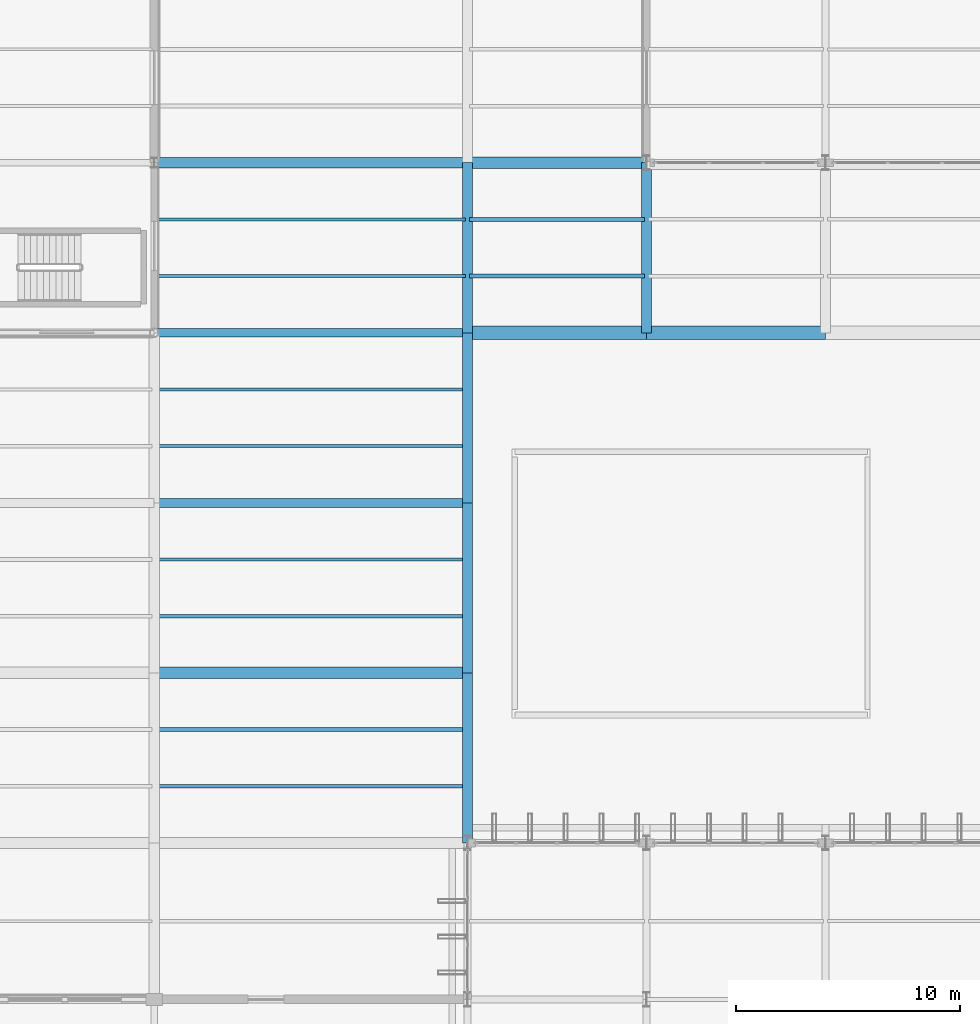
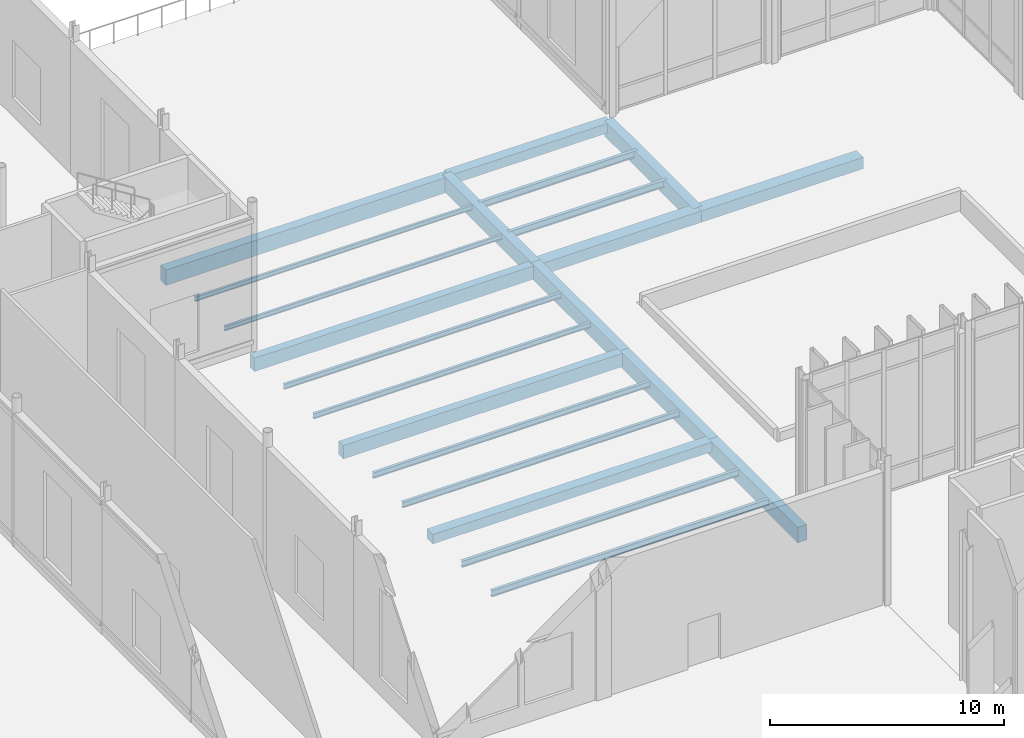
# One storey, part 68 of 176: 22 beams.
"""IFC4 building model written with IfcOpenShell, lengths in metres."""

import ifcopenshell
import ifcopenshell.guid

model = None  # the IFC model being written
_history = None  # IfcOwnerHistory: only IFC2X3 demands one
_inside = {}  # id of a spatial element -> (the spatial element, [elements in it])
_under = {}  # id of a project, library or spatial element -> (it, [spatial elements below it])
_declared = {}  # id of a project -> (the project, [libraries it declares])
_typed = {}  # id of a type object -> (the type object, [elements of that type])
_made_of = {}  # id of a material, layer set ... -> (it, [elements and type objects made of it])


def new_model(schema):
    """Start an empty IFC model of exactly this schema.

    Asked for "IFC4X3", IfcOpenShell would pick the latest addendum, in which some entities
    have other attributes; the version numbers below select the first issue.
    IFC2X3 requires an IfcOwnerHistory on every rooted entity: one is made here for all.
    """
    global model, _history
    if schema == "IFC4X3":
        model = ifcopenshell.file(schema_version=(4, 3, 0, 0))
    else:
        model = ifcopenshell.file(schema=schema)
    _inside.clear()
    _under.clear()
    _declared.clear()
    _typed.clear()
    _made_of.clear()
    _history = None
    if model.schema == "IFC2X3":
        org = make("IfcOrganization", Name="unknown")
        user = make(
            "IfcPersonAndOrganization",
            ThePerson=make("IfcPerson", FamilyName="unknown"),
            TheOrganization=org,
        )
        app = make(
            "IfcApplication",
            ApplicationDeveloper=org,
            Version="unknown",
            ApplicationFullName="unknown",
            ApplicationIdentifier="unknown",
        )
        _history = make(
            "IfcOwnerHistory",
            OwningUser=user,
            OwningApplication=app,
            ChangeAction="ADDED",
            CreationDate=0,
        )
    return model


def make(cls, **values):
    """One entity of the class cls with the attributes given. An attribute that is None is left unset."""
    return model.create_entity(
        cls, **{name: value for name, value in values.items() if value is not None}
    )


def rooted(cls, **values):
    """An entity with a GlobalId (a new one), such as an element, a storey or a relation."""
    return make(cls, GlobalId=ifcopenshell.guid.new(), OwnerHistory=_history, **values)


def si_unit(unit_type, name, prefix=None):
    """IfcSIUnit, for example si_unit("LENGTHUNIT", "METRE", prefix="MILLI")."""
    return make("IfcSIUnit", UnitType=unit_type, Prefix=prefix, Name=name)


def assignment(units):
    """IfcUnitAssignment: the units of a project."""
    return None if units is None else make("IfcUnitAssignment", Units=units)


def point(xyz):
    """IfcCartesianPoint."""
    return None if xyz is None else make("IfcCartesianPoint", Coordinates=xyz)


def direction(xyz):
    """IfcDirection."""
    return None if xyz is None else make("IfcDirection", DirectionRatios=xyz)


def frame(location, z_axis=None, x_axis=None):
    """IfcAxis2Placement3D, a coordinate frame: its origin and axes. An axis left out is left unset."""
    return make(
        "IfcAxis2Placement3D",
        Location=point(location),
        Axis=direction(z_axis),
        RefDirection=direction(x_axis),
    )


def frame_2d(location, x_axis=None):
    """IfcAxis2Placement2D, a coordinate frame in the plane: its origin and x axis."""
    return make(
        "IfcAxis2Placement2D", Location=point(location), RefDirection=direction(x_axis)
    )


def origin():
    """The frame at (0, 0, 0) with its axes left unset."""
    return frame((0.0, 0.0, 0.0))


def origin_2d():
    """The frame at (0, 0) in the plane with its x axis left unset."""
    return frame_2d((0.0, 0.0))


def place(relative_to, where):
    """IfcLocalPlacement: puts the frame where relative to a parent placement (None: the world)."""
    return make(
        "IfcLocalPlacement", PlacementRelTo=relative_to, RelativePlacement=where
    )


def context(
    kind, dimensions, precision=None, world=None, true_north=None, identifier=None
):
    """IfcGeometricRepresentationContext, for example the 3D "Model" context."""
    return make(
        "IfcGeometricRepresentationContext",
        ContextIdentifier=identifier,
        ContextType=kind,
        CoordinateSpaceDimension=dimensions,
        Precision=precision,
        WorldCoordinateSystem=world,
        TrueNorth=true_north,
    )


def subcontext(parent, identifier, kind, view, scale=None):
    """IfcGeometricRepresentationSubContext, for example "Body" below "Model"."""
    return make(
        "IfcGeometricRepresentationSubContext",
        ContextIdentifier=identifier,
        ContextType=kind,
        ParentContext=parent,
        TargetScale=scale,
        TargetView=view,
    )


def project(units=None, contexts=None):
    """IfcProject with its units and contexts."""
    return rooted(
        "IfcProject",
        Name="project",
        RepresentationContexts=contexts,
        UnitsInContext=assignment(units),
    )


def spatial(cls, under=None, at=None, **own):
    """A site, building, storey or space (cls), placed at a placement, below another one or the project."""
    s = rooted(cls, ObjectPlacement=at, **own)
    if under is not None:
        _under.setdefault(under.id(), (under, []))[1].append(s)
    return s


def profile(cls, at=None, kind="AREA", **sizes):
    """A parametric profile (cls). Its sizes go by their IFC names, for example OverallWidth=200.0."""
    return make(cls, ProfileType=kind, Position=at, **sizes)


def rectangle(**sizes):
    """IfcRectangleProfileDef."""
    return profile("IfcRectangleProfileDef", **sizes)


def i_section(**sizes):
    """IfcIShapeProfileDef."""
    return profile("IfcIShapeProfileDef", **sizes)


def extrude(swept, where, along, depth):
    """IfcExtrudedAreaSolid: the profile swept, set in the frame where, extruded along a direction by depth."""
    return make(
        "IfcExtrudedAreaSolid",
        SweptArea=swept,
        Position=where,
        ExtrudedDirection=direction(along),
        Depth=depth,
    )


def shape(context_of_items, identifier, shape_type, items):
    """IfcShapeRepresentation: the items that make up one representation, for example the "Body"."""
    return make(
        "IfcShapeRepresentation",
        ContextOfItems=context_of_items,
        RepresentationIdentifier=identifier,
        RepresentationType=shape_type,
        Items=items,
    )


def material(Name=None, Category=None):
    """IfcMaterial."""
    return make("IfcMaterial", Name=Name, Category=Category)


def material_profile(
    of_material, cross_section, Name=None, Category=None, Priority=None
):
    """IfcMaterialProfile: a cross section and its material."""
    return make(
        "IfcMaterialProfile",
        Name=Name,
        Material=of_material,
        Profile=cross_section,
        Priority=Priority,
        Category=Category,
    )


def profile_set(profiles, Name=None, composite=None):
    """IfcMaterialProfileSet."""
    return make(
        "IfcMaterialProfileSet",
        Name=Name,
        MaterialProfiles=profiles,
        CompositeProfile=composite,
    )


def made_of(thing, what):
    """Note that an element or type object is made of a material, layer set ...; save() writes the relation."""
    if what is not None:
        _made_of.setdefault(what.id(), (what, []))[1].append(thing)
    return thing


def type_object(cls, material=None, **own):
    """A type object (cls), such as IfcWallType, which elements share."""
    return made_of(rooted(cls, **own), material)


def element(
    cls,
    number,
    at=None,
    inside=None,
    cuts=None,
    type_object=None,
    material=None,
    context=None,
    identifier="Body",
    shape_type=None,
    held_by="IfcProductDefinitionShape",
    body=None,
    shapes=None,
    **own,
):
    """One element of the class cls, such as IfcWall. Its Tag is "e" and its number.

    at: its placement. inside: the storey or other place that contains it. cuts: it is an
    opening in that element (IfcRelVoidsElement). A single representation is given by context,
    identifier, shape_type and body (its items); several are given by shapes. held_by: the class
    of the entity that holds the representations. save() writes the other relations.
    """
    e = rooted(cls, Tag="e%d" % number, ObjectPlacement=at, **own)
    if body is not None:
        shapes = [shape(context, identifier, shape_type, body)]
    if shapes is not None:
        e.Representation = make(held_by, Representations=shapes)
    if inside is not None:
        _inside.setdefault(inside.id(), (inside, []))[1].append(e)
    if cuts is not None:
        rooted(
            "IfcRelVoidsElement", RelatingBuildingElement=cuts, RelatedOpeningElement=e
        )
    if type_object is not None:
        _typed.setdefault(type_object.id(), (type_object, []))[1].append(e)
    return made_of(e, material)


def aggregate(whole, parts):
    """IfcRelAggregates: a whole, such as a stair, and the parts it consists of."""
    return rooted("IfcRelAggregates", RelatingObject=whole, RelatedObjects=parts)


def save(model, path):
    """Write the relations noted so far, then the file.

    IfcRelAggregates (storeys below a building ...), IfcRelContainedInSpatialStructure (elements
    in a storey), IfcRelDefinesByType, IfcRelAssociatesMaterial and IfcRelDeclares: one each for
    every whole, place, type object, material and project.
    """
    for whole, parts in _under.values():
        aggregate(whole, parts)
    for where, things in _inside.values():
        rooted(
            "IfcRelContainedInSpatialStructure",
            RelatedElements=things,
            RelatingStructure=where,
        )
    for kind, things in _typed.values():
        rooted("IfcRelDefinesByType", RelatedObjects=things, RelatingType=kind)
    for what, things in _made_of.values():
        rooted("IfcRelAssociatesMaterial", RelatedObjects=things, RelatingMaterial=what)
    for by, libraries in _declared.values():
        rooted("IfcRelDeclares", RelatingContext=by, RelatedDefinitions=libraries)
    model.write(path)


model = new_model("IFC4")

# Units and contexts
model_context = context("Model", 3, precision=1e-05, world=origin(), true_north=direction((0.0, 1.0)))
body_context = subcontext(model_context, "Body", "Model", "MODEL_VIEW")
ifc_project = project(units=[si_unit("LENGTHUNIT", "METRE"), si_unit("AREAUNIT", "SQUARE_METRE"), si_unit("VOLUMEUNIT", "CUBIC_METRE"), si_unit("PLANEANGLEUNIT", "RADIAN"), si_unit("MASSUNIT", "GRAM", prefix="KILO")], contexts=[model_context])

# Site, building, storey
site_placement = place(None, origin())
site = spatial("IfcSite", under=ifc_project, at=site_placement, CompositionType="ELEMENT")
building_placement = place(site_placement, origin())
building = spatial("IfcBuilding", under=site, at=building_placement, Name="Vekula Escarpment Museum", CompositionType="ELEMENT")
storey_placement = place(building_placement, origin())
storey = spatial("IfcBuildingStorey", under=building, at=storey_placement, Name="L01", CompositionType="ELEMENT", Elevation=0.0)

# Beams
ifc_material_1 = material(Name="Steel S355", Category="steel")
ifc_material_profile_1 = material_profile(ifc_material_1, i_section(OverallWidth=0.1201171875, OverallDepth=0.239990234375, WebThickness=0.006103515625, FlangeThickness=0.009765625, FilletRadius=0.014892578125, at=origin_2d()), Name="IPE 240")
ifc_profile_set_1 = profile_set([ifc_material_profile_1], Name="Steel S355")
beam_type_1 = type_object("IfcBeamType", Name="BM-JST-IPE240", PredefinedType="JOIST", material=ifc_profile_set_1)
for number, where, z_axis, x_axis, name in (
    (1, (56.090087890625, 115.7333984375, -0.469970703125), (1.0, 0.0, 0.0), (0.0, 1.0, 0.0), "Secondary Joist L01 0226"),
    (2, (56.090087890625, 118.2666015625, -0.469970703125), (1.0, 0.0, 0.0), (0.0, 1.0, 0.0), "Secondary Joist L01 0227"),
):
    element("IfcBeam", number, at=place(storey_placement, frame(where, z_axis=z_axis, x_axis=x_axis)), inside=storey, type_object=beam_type_1, Name=name, PredefinedType="JOIST", context=body_context, shape_type="SweptSolid", body=[
        extrude(i_section(OverallWidth=0.1201171875, OverallDepth=0.239990234375, WebThickness=0.006103515625, FlangeThickness=0.009765625, FilletRadius=0.014892578125, at=origin_2d()), origin(), (0.0, 0.0, 1.0), 13.81982421875),
    ])
ifc_material_2 = material(Name="Steel S355", Category="steel")
ifc_material_profile_2 = material_profile(ifc_material_2, i_section(OverallWidth=0.135009765625, OverallDepth=0.27001953125, WebThickness=0.006591796875, FlangeThickness=0.01025390625, FilletRadius=0.014892578125, at=origin_2d()), Name="IPE 270")
ifc_profile_set_2 = profile_set([ifc_material_profile_2], Name="Steel S355")
beam_type_2 = type_object("IfcBeamType", Name="BM-JST-IPE270", PredefinedType="JOIST", material=ifc_profile_set_2)
for number, where, z_axis, x_axis, name in (
    (3, (56.090087890625, 108.13330078125, -0.43505859375), (1.0, 0.0, 0.0), (0.0, 1.0, 0.0), "Secondary Joist L01 0224"),
    (4, (56.090087890625, 110.666748046875, -0.43505859375), (1.0, 0.0, 0.0), (0.0, 1.0, 0.0), "Secondary Joist L01 0225"),
):
    element("IfcBeam", number, at=place(storey_placement, frame(where, z_axis=z_axis, x_axis=x_axis)), inside=storey, type_object=beam_type_2, Name=name, PredefinedType="JOIST", context=body_context, shape_type="SweptSolid", body=[
        extrude(i_section(OverallWidth=0.135009765625, OverallDepth=0.27001953125, WebThickness=0.006591796875, FlangeThickness=0.01025390625, FilletRadius=0.014892578125, at=origin_2d()), origin(), (0.0, 0.0, 1.0), 13.81982421875),
    ])
ifc_material_3 = material(Name="Steel S355", Category="steel")
ifc_material_profile_3 = material_profile(ifc_material_3, i_section(OverallWidth=0.14990234375, OverallDepth=0.300048828125, WebThickness=0.007080078125, FlangeThickness=0.0107421875, FilletRadius=0.014892578125, at=origin_2d()), Name="IPE 300")
ifc_profile_set_3 = profile_set([ifc_material_profile_3], Name="Steel S355")
beam_type_3 = type_object("IfcBeamType", Name="BM-JST-IPE300", PredefinedType="JOIST", material=ifc_profile_set_3)
for number, where, z_axis, x_axis, name in (
    (5, (56.090087890625, 100.533203125, -0.449951171875), (1.0, 0.0, 0.0), (0.0, 1.0, 0.0), "Secondary Joist L01 0222"),
    (6, (56.090087890625, 103.066650390625, -0.449951171875), (1.0, 0.0, 0.0), (0.0, 1.0, 0.0), "Secondary Joist L01 0223"),
):
    element("IfcBeam", number, at=place(storey_placement, frame(where, z_axis=z_axis, x_axis=x_axis)), inside=storey, type_object=beam_type_3, Name=name, PredefinedType="JOIST", context=body_context, shape_type="SweptSolid", body=[
        extrude(i_section(OverallWidth=0.14990234375, OverallDepth=0.300048828125, WebThickness=0.007080078125, FlangeThickness=0.0107421875, FilletRadius=0.014892578125, at=origin_2d()), origin(), (0.0, 0.0, 1.0), 13.81982421875),
    ])
ifc_material_4 = material(Name="Steel S355", Category="steel")
ifc_material_profile_4 = material_profile(ifc_material_4, i_section(OverallWidth=0.159912109375, OverallDepth=0.330078125, WebThickness=0.007568359375, FlangeThickness=0.011474609375, FilletRadius=0.01806640625, at=origin_2d()), Name="IPE 330")
ifc_profile_set_4 = profile_set([ifc_material_profile_4], Name="Steel S355")
beam_type_4 = type_object("IfcBeamType", Name="BM-JST-IPE330", PredefinedType="JOIST", material=ifc_profile_set_4)
for number, where, z_axis, x_axis, name in (
    (7, (56.090087890625, 92.933349609375, -0.465087890625), (1.0, 0.0, 0.0), (0.0, 1.0, 0.0), "Secondary Joist L01 0220"),
    (8, (56.090087890625, 95.466796875, -0.465087890625), (1.0, 0.0, 0.0), (0.0, 1.0, 0.0), "Secondary Joist L01 0221"),
):
    element("IfcBeam", number, at=place(storey_placement, frame(where, z_axis=z_axis, x_axis=x_axis)), inside=storey, type_object=beam_type_4, Name=name, PredefinedType="JOIST", context=body_context, shape_type="SweptSolid", body=[
        extrude(i_section(OverallWidth=0.159912109375, OverallDepth=0.330078125, WebThickness=0.007568359375, FlangeThickness=0.011474609375, FilletRadius=0.01806640625, at=origin_2d()), origin(), (0.0, 0.0, 1.0), 13.81982421875),
    ])
ifc_material_5 = material(Name="Steel S355", Category="steel")
ifc_material_profile_5 = material_profile(ifc_material_5, i_section(OverallWidth=0.169921875, OverallDepth=0.360107421875, WebThickness=0.008056640625, FlangeThickness=0.0126953125, FilletRadius=0.01806640625, at=origin_2d()), Name="IPE 360")
ifc_profile_set_5 = profile_set([ifc_material_profile_5], Name="Steel S355")
beam_type_5 = type_object("IfcBeamType", Name="BM-JST-IPE360", PredefinedType="JOIST", material=ifc_profile_set_5)
for number, where, z_axis, x_axis, name in (
    (9, (70.090087890625, 115.7333984375, -0.47998046875), (1.0, 0.0, 0.0), (0.0, 1.0, 0.0), "Secondary Joist L01 0245"),
    (10, (70.090087890625, 118.2666015625, -0.47998046875), (1.0, 0.0, 0.0), (0.0, 1.0, 0.0), "Secondary Joist L01 0246"),
):
    element("IfcBeam", number, at=place(storey_placement, frame(where, z_axis=z_axis, x_axis=x_axis)), inside=storey, type_object=beam_type_5, Name=name, PredefinedType="JOIST", context=body_context, shape_type="SweptSolid", body=[
        extrude(i_section(OverallWidth=0.169921875, OverallDepth=0.360107421875, WebThickness=0.008056640625, FlangeThickness=0.0126953125, FilletRadius=0.01806640625, at=origin_2d()), origin(), (0.0, 0.0, 1.0), 7.81982421875),
    ])
ifc_material_6 = material(Name="Concrete C35/45", Category="concrete")
ifc_material_profile_6 = material_profile(ifc_material_6, rectangle(XDim=0.449951171875, YDim=0.800048828125, at=origin_2d()), Name="RC 450x800")
ifc_profile_set_6 = profile_set([ifc_material_profile_6], Name="Concrete C35/45")
beam_type_6 = type_object("IfcBeamType", Name="BM-PLINTH-RC", PredefinedType="BEAM", material=ifc_profile_set_6)
beam_1_placement = place(storey_placement, frame((56.0, 120.800048828125, -0.75), z_axis=(1.0, 0.0, 0.0), x_axis=(0.0, 1.0, 0.0)))
element("IfcBeam", 11, at=beam_1_placement, inside=storey, type_object=beam_type_6, Name="Beam X L01 0338", PredefinedType="BEAM", context=body_context, shape_type="SweptSolid", body=[
    extrude(rectangle(XDim=0.449951171875, YDim=0.800048828125, at=origin_2d()), origin(), (0.0, 0.0, 1.0), 14.0),
])
for number, where, z_axis, x_axis, name in (
    (12, (70.0, 90.39990234375, -0.699951171875), (0.0, 1.0, 0.0), (-1.0, 0.0, 0.0), "Beam Y L01 0546"),
    (13, (70.0, 98.0, -0.699951171875), (0.0, 1.0, 0.0), (-1.0, 0.0, 0.0), "Beam Y L01 0547"),
):
    element("IfcBeam", number, at=place(storey_placement, frame(where, z_axis=z_axis, x_axis=x_axis)), inside=storey, type_object=beam_type_6, Name=name, PredefinedType="BEAM", context=body_context, shape_type="SweptSolid", body=[
        extrude(rectangle(XDim=0.449951171875, YDim=0.800048828125, at=origin_2d()), origin(), (0.0, 0.0, 1.0), 7.60009765625),
    ])
beam_2_placement = place(storey_placement, frame((70.0, 105.60009765625, -0.699951171875), z_axis=(0.0, 1.0, 0.0), x_axis=(-1.0, 0.0, 0.0)))
element("IfcBeam", 14, at=beam_2_placement, inside=storey, type_object=beam_type_6, Name="Beam Y L01 0548", PredefinedType="BEAM", context=body_context, shape_type="SweptSolid", body=[
    extrude(rectangle(XDim=0.449951171875, YDim=0.800048828125, at=origin_2d()), origin(), (0.0, 0.0, 1.0), 7.599853515625),
])
for number, where, z_axis, x_axis, name in (
    (15, (70.0, 113.199951171875, -0.699951171875), (0.0, 1.0, 0.0), (-1.0, 0.0, 0.0), "Beam Y L01 0549"),
    (16, (78.0, 113.199951171875, -0.699951171875), (0.0, 1.0, 0.0), (-1.0, 0.0, 0.0), "Beam Y L01 0561"),
):
    element("IfcBeam", number, at=place(storey_placement, frame(where, z_axis=z_axis, x_axis=x_axis)), inside=storey, type_object=beam_type_6, Name=name, PredefinedType="BEAM", context=body_context, shape_type="SweptSolid", body=[
        extrude(rectangle(XDim=0.449951171875, YDim=0.800048828125, at=origin_2d()), origin(), (0.0, 0.0, 1.0), 7.60009765625),
    ])
ifc_material_7 = material(Name="Concrete C35/45", Category="concrete")
ifc_material_profile_7 = material_profile(ifc_material_7, rectangle(XDim=0.39990234375, YDim=0.699951171875, at=origin_2d()), Name="RC 400x700")
ifc_profile_set_7 = profile_set([ifc_material_profile_7], Name="Concrete C35/45")
beam_type_7 = type_object("IfcBeamType", Name="BM-PLINTH-RC2", PredefinedType="BEAM", material=ifc_profile_set_7)
for number, where, z_axis, x_axis, name in (
    (17, (56.0, 105.60009765625, -0.64990234375), (1.0, 0.0, 0.0), (0.0, 1.0, 0.0), "Beam X L01 0295"),
    (18, (56.0, 113.199951171875, -0.699951171875), (1.0, 0.0, 0.0), (0.0, 1.0, 0.0), "Beam X L01 0315"),
):
    element("IfcBeam", number, at=place(storey_placement, frame(where, z_axis=z_axis, x_axis=x_axis)), inside=storey, type_object=beam_type_7, Name=name, PredefinedType="BEAM", context=body_context, shape_type="SweptSolid", body=[
        extrude(rectangle(XDim=0.39990234375, YDim=0.699951171875, at=origin_2d()), origin(), (0.0, 0.0, 1.0), 14.0),
    ])
ifc_material_8 = material(Name="Concrete C35/45", Category="concrete")
ifc_material_profile_8 = material_profile(ifc_material_8, rectangle(XDim=0.5, YDim=0.5, at=origin_2d()), Name="RC 500x500")
ifc_profile_set_8 = profile_set([ifc_material_profile_8], Name="Concrete C35/45")
beam_type_8 = type_object("IfcBeamType", Name="BM-PLINTH-RC3", PredefinedType="BEAM", material=ifc_profile_set_8)
beam_3_placement = place(storey_placement, frame((56.0, 98.0, -0.550048828125), z_axis=(1.0, 0.0, 0.0), x_axis=(0.0, 1.0, 0.0)))
element("IfcBeam", 19, at=beam_3_placement, inside=storey, type_object=beam_type_8, Name="Beam X L01 0275", PredefinedType="BEAM", context=body_context, shape_type="SweptSolid", body=[
    extrude(rectangle(XDim=0.5, YDim=0.5, at=origin_2d()), origin(), (0.0, 0.0, 1.0), 14.0),
])
beam_4_placement = place(storey_placement, frame((70.0, 120.800048828125, -0.550048828125), z_axis=(1.0, 0.0, 0.0), x_axis=(0.0, 1.0, 0.0)))
element("IfcBeam", 20, at=beam_4_placement, inside=storey, type_object=beam_type_8, Name="Beam X L01 0339", PredefinedType="BEAM", context=body_context, shape_type="SweptSolid", body=[
    extrude(rectangle(XDim=0.5, YDim=0.5, at=origin_2d()), origin(), (0.0, 0.0, 1.0), 8.0),
])
ifc_material_9 = material(Name="Concrete C35/45", Category="concrete")
ifc_material_profile_9 = material_profile(ifc_material_9, rectangle(XDim=0.60009765625, YDim=0.60009765625, at=origin_2d()), Name="RC 600x600")
ifc_profile_set_9 = profile_set([ifc_material_profile_9], Name="Concrete C35/45")
beam_type_9 = type_object("IfcBeamType", Name="BM-PLINTH-RC4", PredefinedType="BEAM", material=ifc_profile_set_9)
for number, where, z_axis, x_axis, name in (
    (21, (70.0, 113.199951171875, -0.60009765625), (1.0, 0.0, 0.0), (0.0, 1.0, 0.0), "Beam X L01 0316"),
    (22, (78.0, 113.199951171875, -0.60009765625), (1.0, 0.0, 0.0), (0.0, 1.0, 0.0), "Beam X L01 0317"),
):
    element("IfcBeam", number, at=place(storey_placement, frame(where, z_axis=z_axis, x_axis=x_axis)), inside=storey, type_object=beam_type_9, Name=name, PredefinedType="BEAM", context=body_context, shape_type="SweptSolid", body=[
        extrude(rectangle(XDim=0.60009765625, YDim=0.60009765625, at=origin_2d()), origin(), (0.0, 0.0, 1.0), 8.0),
    ])

save(model, "model.ifc")
